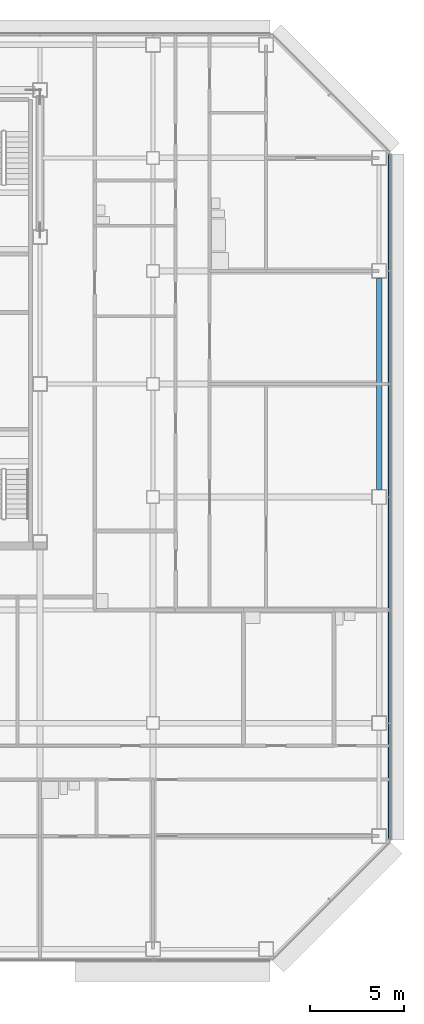
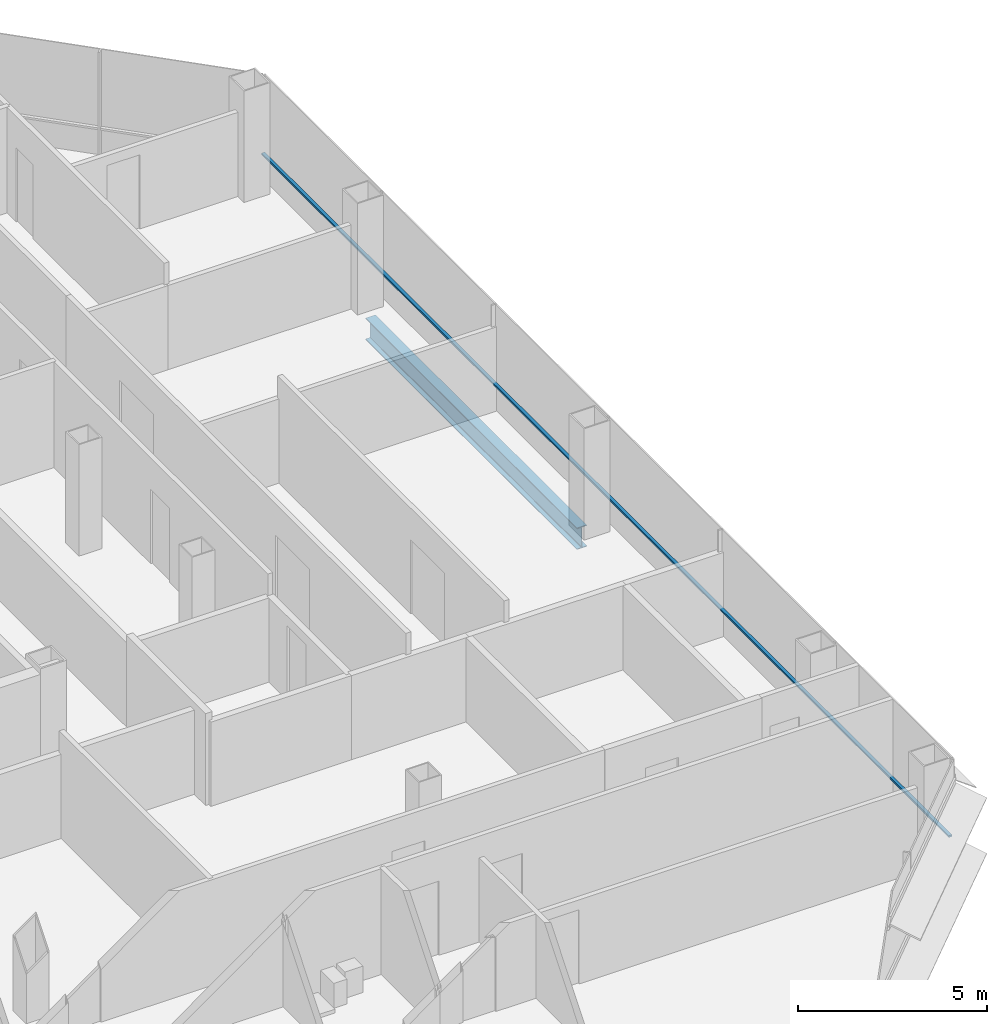
# One storey, part 16 of 25: 1 beam, 1 member, 1 element without a shape of its own.
"""IFC4 building model written with IfcOpenShell, lengths in metres."""

from ifc_helpers import new_model, si_unit, direction, frame, origin, origin_2d, place, context, subcontext, project, spatial, rectangle, i_section, extrude, material, material_profile, profile_set, type_object, element, aggregate, save


model = new_model("IFC4")

# Units and contexts
model_context = context("Model", 3, precision=1e-05, world=origin(), true_north=direction((0.0, 1.0)))
body_context = subcontext(model_context, "Body", "Model", "MODEL_VIEW")
ifc_project = project(units=[si_unit("LENGTHUNIT", "METRE"), si_unit("AREAUNIT", "SQUARE_METRE"), si_unit("VOLUMEUNIT", "CUBIC_METRE"), si_unit("PLANEANGLEUNIT", "RADIAN"), si_unit("MASSUNIT", "GRAM", prefix="KILO")], contexts=[model_context])

# Site, building, storey
site_placement = place(None, origin())
site = spatial("IfcSite", under=ifc_project, at=site_placement, CompositionType="ELEMENT")
building_placement = place(site_placement, origin())
building = spatial("IfcBuilding", under=site, at=building_placement, Name="Sorahane Residences", CompositionType="ELEMENT")
storey_placement = place(building_placement, frame((0.0, 0.0, 99.800048828125)))
storey = spatial("IfcBuildingStorey", under=building, at=storey_placement, Name="L21", CompositionType="ELEMENT", Elevation=99.800048828125)

# Curtain wall, member
ifc_material_1 = material(Name="Dark low-e glass and black anodised aluminium", Category="aluminium")
curtain_wall_type = type_object("IfcCurtainWallType", Name="Curtain wall CW-1 Typical unitised wall", PredefinedType="NOTDEFINED", material=ifc_material_1)
curtain_wall_placement = place(storey_placement, origin())
curtain_wall = element("IfcCurtainWall", 1, at=curtain_wall_placement, inside=storey, type_object=curtain_wall_type, Name="CW-1 curtain wall L21 E1", PredefinedType="NOTDEFINED")
ifc_material_2 = material(Name="Black anodised aluminium", Category="aluminium")
ifc_material_profile_1 = material_profile(ifc_material_2, rectangle(XDim=0.10009765625, YDim=0.06005859375, at=origin_2d()), Name="Curtain wall transom CW-1 black anodised aluminium 60x100")
ifc_profile_set_1 = profile_set([ifc_material_profile_1], Name="Black anodised aluminium")
member_type = type_object("IfcMemberType", Name="Curtain wall transom CW-1 black anodised aluminium 60x100", PredefinedType="USERDEFINED", material=ifc_profile_set_1)
member_placement = place(storey_placement, frame((60.530029296875, 5.801513671875, 0.89990234375), z_axis=(0.0, 1.0, 0.0), x_axis=(-1.0, 0.0, 0.0)))
member = element("IfcMember", 2, at=member_placement, type_object=member_type, Name="CW-1 transom L21 E1", ObjectType="TRANSOM", PredefinedType="USERDEFINED", context=body_context, shape_type="SweptSolid", body=[
    extrude(rectangle(XDim=0.10009765625, YDim=0.06005859375, at=origin_2d()), origin(), (0.0, 0.0, 1.0), 36.39697265625),
])
aggregate(curtain_wall, [member])

# Beam
ifc_material_3 = material(Name="Steel Q355B", Category="steel")
ifc_material_profile_2 = material_profile(ifc_material_3, i_section(OverallWidth=0.300048828125, OverallDepth=0.699951171875, WebThickness=0.012939453125, FlangeThickness=0.02392578125, FilletRadius=0.028076171875, at=origin_2d()), Name="HN 700x300x13x24")
ifc_profile_set_2 = profile_set([ifc_material_profile_2], Name="Steel Q355B")
beam_type = type_object("IfcBeamType", Name="Steel floor beam HN 700x300x13x24 Q355B", PredefinedType="BEAM", material=ifc_profile_set_2)
beam_placement = place(storey_placement, frame((60.0, 24.39990234375, -0.530029296875), z_axis=(0.0, 1.0, 0.0), x_axis=(-1.0, 0.0, 0.0)))
element("IfcBeam", 3, at=beam_placement, inside=storey, type_object=beam_type, Name="Beam L21 066", PredefinedType="BEAM", context=body_context, shape_type="SweptSolid", body=[
    extrude(i_section(OverallWidth=0.300048828125, OverallDepth=0.699951171875, WebThickness=0.012939453125, FlangeThickness=0.02392578125, FilletRadius=0.028076171875, at=origin_2d()), origin(), (0.0, 0.0, 1.0), 11.2001953125),
])

save(model, "model.ifc")
